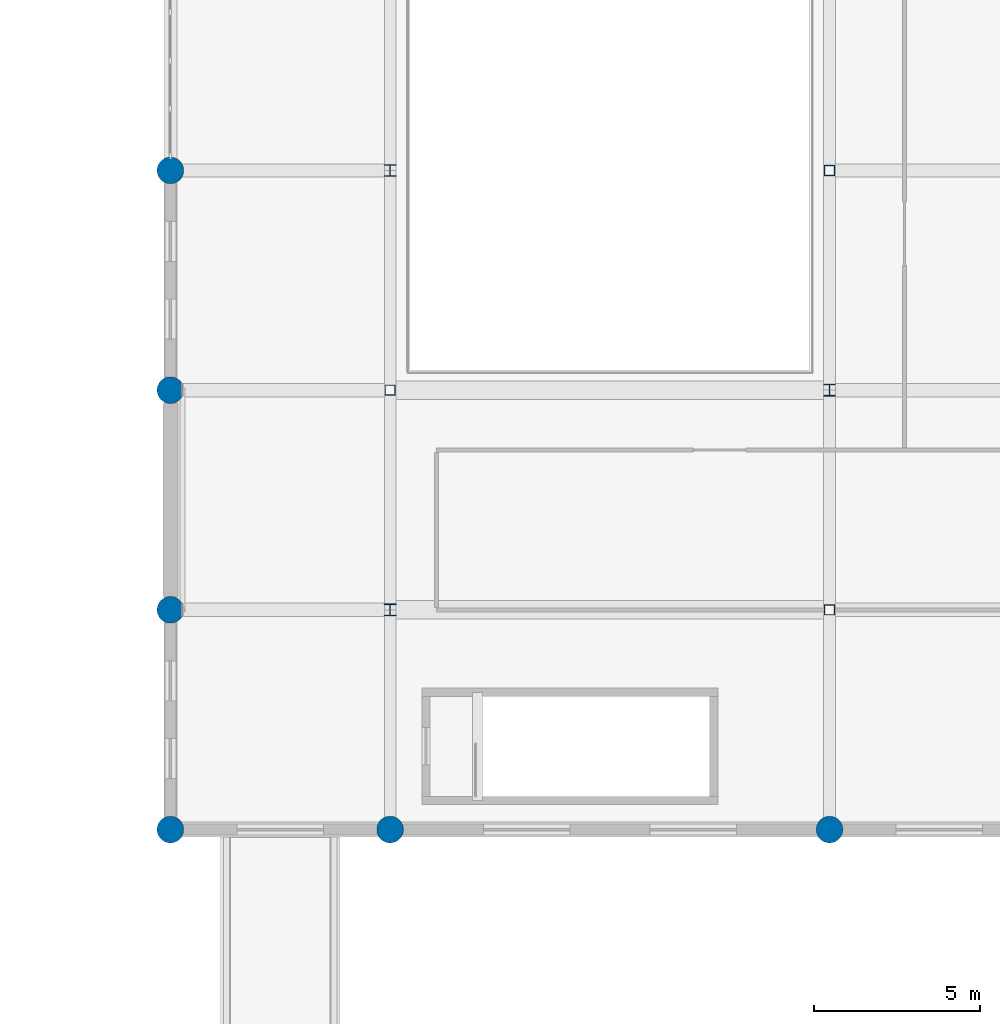
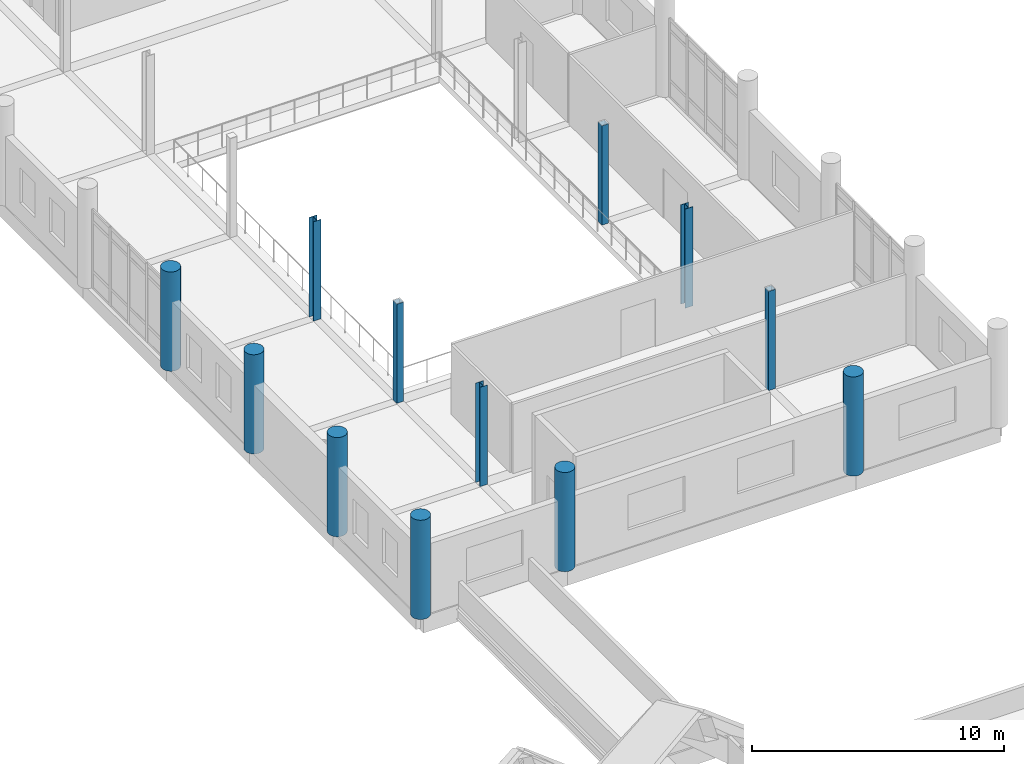
# One storey, part 1 of 76: 12 columns.
"""IFC4 building model written with IfcOpenShell, lengths in metres."""

from ifc_helpers import new_model, si_unit, direction, frame, origin, origin_2d, place, context, subcontext, project, spatial, hollow_rectangle, circle, i_section, extrude, material, material_profile, profile_set, type_object, element, save


model = new_model("IFC4")

# Units and contexts
model_context = context("Model", 3, precision=1e-05, world=origin(), true_north=direction((0.0, 1.0)))
body_context = subcontext(model_context, "Body", "Model", "MODEL_VIEW")
ifc_project = project(units=[si_unit("LENGTHUNIT", "METRE"), si_unit("AREAUNIT", "SQUARE_METRE"), si_unit("VOLUMEUNIT", "CUBIC_METRE"), si_unit("PLANEANGLEUNIT", "RADIAN"), si_unit("MASSUNIT", "GRAM", prefix="KILO")], contexts=[model_context])

# Site, building, storey
site_placement = place(None, origin())
site = spatial("IfcSite", under=ifc_project, at=site_placement, CompositionType="ELEMENT")
building_placement = place(site_placement, origin())
building = spatial("IfcBuilding", under=site, at=building_placement, Name="Dornvale Research Institute", CompositionType="ELEMENT")
storey_placement = place(building_placement, frame((0.0, 0.0, 15.0)))
storey = spatial("IfcBuildingStorey", under=building, at=storey_placement, Name="L03", CompositionType="ELEMENT", Elevation=15.0)

# Columns
ifc_material_1 = material(Name="Concrete f'c 45 MPa (C35/45)", Category="concrete")
ifc_material_profile_1 = material_profile(ifc_material_1, circle(Radius=0.39990234375, at=origin_2d()), Name="RC DIA 800")
ifc_profile_set_1 = profile_set([ifc_material_profile_1], Name="Concrete f'c 45 MPa (C35/45)")
column_type_1 = type_object("IfcColumnType", Name="Column_RCDia800_Ext", PredefinedType="COLUMN", material=ifc_profile_set_1)
for number, where, z_axis, x_axis, name in (
    (1, (39.60009765625, 39.60009765625, 0.0), (0.0, 0.0, 1.0), (1.0, 0.0, 0.0), "L03 column #1114"),
    (2, (39.60009765625, 46.199951171875, 0.0), (0.0, 0.0, 1.0), (1.0, 0.0, 0.0), "L03 column #1115"),
    (3, (39.60009765625, 52.800048828125, 0.0), (0.0, 0.0, 1.0), (1.0, 0.0, 0.0), "L03 column #1116"),
    (4, (39.60009765625, 59.39990234375, 0.0), (0.0, 0.0, 1.0), (1.0, 0.0, 0.0), "L03 column #1117"),
    (5, (46.199951171875, 39.60009765625, 0.0), (0.0, 0.0, 1.0), (1.0, 0.0, 0.0), "L03 column #1122"),
    (6, (59.39990234375, 39.60009765625, 0.0), (0.0, 0.0, 1.0), (1.0, 0.0, 0.0), "L03 column #1130"),
):
    element("IfcColumn", number, at=place(storey_placement, frame(where, z_axis=z_axis, x_axis=x_axis)), inside=storey, type_object=column_type_1, Name=name, PredefinedType="COLUMN", context=body_context, shape_type="SweptSolid", body=[
        extrude(circle(Radius=0.39990234375, at=origin_2d()), origin(), (0.0, 0.0, 1.0), 4.800048828125),
    ])
ifc_material_2 = material(Name="Steel ASTM A500 Grade C", Category="steel")
ifc_material_profile_2 = material_profile(ifc_material_2, hollow_rectangle(XDim=0.304931640625, YDim=0.304931640625, WallThickness=0.01171875, at=origin_2d()), Name="HSS305X305X12.7")
ifc_profile_set_2 = profile_set([ifc_material_profile_2], Name="Steel ASTM A500 Grade C")
column_type_2 = type_object("IfcColumnType", Name="Column_Steel_HSS305", PredefinedType="COLUMN", material=ifc_profile_set_2)
for number, where, z_axis, x_axis, name in (
    (7, (46.199951171875, 52.800048828125, 0.0), (0.0, 0.0, 1.0), (1.0, 0.0, 0.0), "L03 column #1124"),
    (8, (59.39990234375, 46.199951171875, 0.0), (0.0, 0.0, 1.0), (1.0, 0.0, 0.0), "L03 column #1131"),
    (9, (59.39990234375, 59.39990234375, 0.0), (0.0, 0.0, 1.0), (1.0, 0.0, 0.0), "L03 column #1133"),
):
    element("IfcColumn", number, at=place(storey_placement, frame(where, z_axis=z_axis, x_axis=x_axis)), inside=storey, type_object=column_type_2, Name=name, PredefinedType="COLUMN", context=body_context, shape_type="SweptSolid", body=[
        extrude(hollow_rectangle(XDim=0.304931640625, YDim=0.304931640625, WallThickness=0.01171875, at=origin_2d()), origin(), (0.0, 0.0, 1.0), 4.800048828125),
    ])
ifc_material_3 = material(Name="Steel ASTM A992 Grade 50", Category="steel")
ifc_material_profile_3 = material_profile(ifc_material_3, i_section(OverallWidth=0.35595703125, OverallDepth=0.35595703125, WebThickness=0.01123046875, FlangeThickness=0.01806640625, at=origin_2d()), Name="W14X90")
ifc_profile_set_3 = profile_set([ifc_material_profile_3], Name="Steel ASTM A992 Grade 50")
column_type_3 = type_object("IfcColumnType", Name="Column_Steel_W14X90", PredefinedType="COLUMN", material=ifc_profile_set_3)
for number, where, z_axis, x_axis, name in (
    (10, (46.199951171875, 46.199951171875, 0.0), (0.0, 0.0, 1.0), (1.0, 0.0, 0.0), "L03 column #1123"),
    (11, (46.199951171875, 59.39990234375, 0.0), (0.0, 0.0, 1.0), (1.0, 0.0, 0.0), "L03 column #1125"),
    (12, (59.39990234375, 52.800048828125, 0.0), (0.0, 0.0, 1.0), (1.0, 0.0, 0.0), "L03 column #1132"),
):
    element("IfcColumn", number, at=place(storey_placement, frame(where, z_axis=z_axis, x_axis=x_axis)), inside=storey, type_object=column_type_3, Name=name, PredefinedType="COLUMN", context=body_context, shape_type="SweptSolid", body=[
        extrude(i_section(OverallWidth=0.35595703125, OverallDepth=0.35595703125, WebThickness=0.01123046875, FlangeThickness=0.01806640625, at=origin_2d()), origin(), (0.0, 0.0, 1.0), 4.800048828125),
    ])

save(model, "model.ifc")
